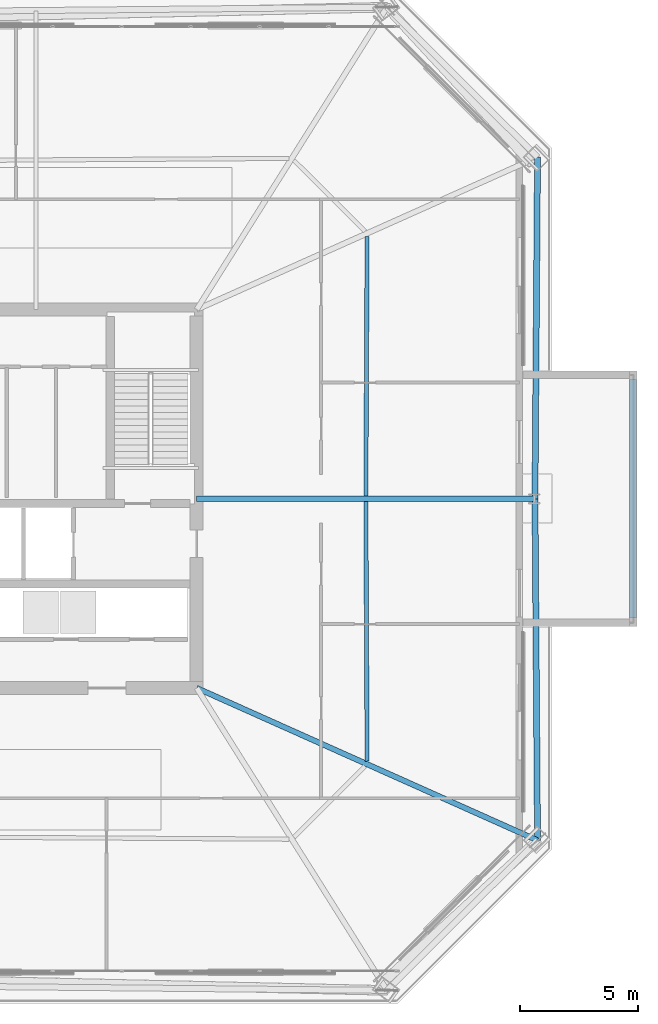
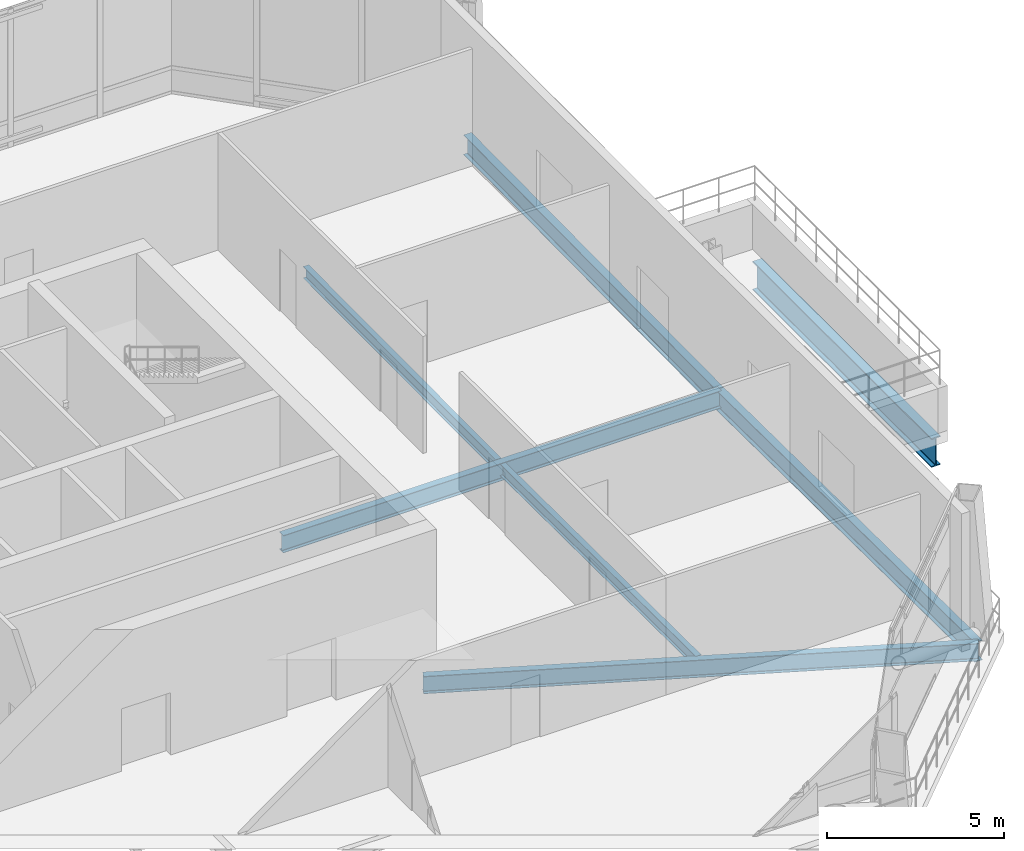
# One storey, part 16 of 34: 7 beams.
"""IFC4 building model written with IfcOpenShell, lengths in metres."""

from ifc_helpers import new_model, si_unit, direction, frame, origin, origin_2d, place, context, subcontext, project, spatial, i_section, extrude, material, material_profile, profile_set, type_object, element, save


model = new_model("IFC4")

# Units and contexts
model_context = context("Model", 3, precision=1e-05, world=origin(), true_north=direction((0.0, 1.0)))
body_context = subcontext(model_context, "Body", "Model", "MODEL_VIEW")
ifc_project = project(units=[si_unit("LENGTHUNIT", "METRE"), si_unit("AREAUNIT", "SQUARE_METRE"), si_unit("VOLUMEUNIT", "CUBIC_METRE"), si_unit("PLANEANGLEUNIT", "RADIAN"), si_unit("MASSUNIT", "GRAM", prefix="KILO")], contexts=[model_context])

# Site, building, storey
site_placement = place(None, origin())
site = spatial("IfcSite", under=ifc_project, at=site_placement, CompositionType="ELEMENT")
building_placement = place(site_placement, origin())
building = spatial("IfcBuilding", under=site, at=building_placement, Name="Caelvoria Tower", CompositionType="ELEMENT")
storey_placement = place(building_placement, frame((0.0, 0.0, 172.0)))
storey = spatial("IfcBuildingStorey", under=building, at=storey_placement, Name="L45", CompositionType="ELEMENT", Elevation=172.0)

# Beams
ifc_material_1 = material(Name="Structural Steel ASTM A992 Gr.50", Category="steel")
ifc_material_profile_1 = material_profile(ifc_material_1, i_section(OverallWidth=0.25390625, OverallDepth=0.68798828125, WebThickness=0.01318359375, FlangeThickness=0.02099609375, FilletRadius=0.01904296875, at=origin_2d()), Name="Structural Steel ASTM A992 Gr.50")
ifc_profile_set_1 = profile_set([ifc_material_profile_1], Name="W690X152 - Structural Steel ASTM A992 Gr.50")
beam_type_1 = type_object("IfcBeamType", Name="Perimeter Spandrel Girder W690X152", PredefinedType="BEAM", material=ifc_profile_set_1)
for number, where, z_axis, x_axis, name in (
    (1, (69.4072265625, 17.55810546875, -0.6640625), (-0.007421102738, 0.999972463238, 0.0), (-0.999972463238, -0.007421102738, 0.0), "Perimeter Spandrel Girder L45-03"),
    (2, (69.300048828125, 32.0, -0.6640625), (0.007421102738, 0.999972463238, 0.0), (-0.999972463238, 0.007421102738, 0.0), "Perimeter Spandrel Girder L45-04"),
):
    element("IfcBeam", number, at=place(storey_placement, frame(where, z_axis=z_axis, x_axis=x_axis)), inside=storey, type_object=beam_type_1, Name=name, PredefinedType="BEAM", context=body_context, shape_type="SweptSolid", body=[
        extrude(i_section(OverallWidth=0.25390625, OverallDepth=0.68798828125, WebThickness=0.01318359375, FlangeThickness=0.02099609375, FilletRadius=0.01904296875, at=origin_2d()), origin(), (0.0, 0.0, 1.0), 14.4423828125),
    ])
ifc_material_profile_2 = material_profile(ifc_material_1, i_section(OverallWidth=0.22802734375, OverallDepth=0.60302734375, WebThickness=0.010498046875, FlangeThickness=0.014892578125, FilletRadius=0.01806640625, at=origin_2d()), Name="Structural Steel ASTM A992 Gr.50")
ifc_profile_set_2 = profile_set([ifc_material_profile_2], Name="W610X101 - Structural Steel ASTM A992 Gr.50")
beam_type_2 = type_object("IfcBeamType", Name="Primary Floor Girder W610X101", PredefinedType="BEAM", material=ifc_profile_set_2)
beam_1_placement = place(storey_placement, frame((55.0, 24.0, -0.62158203125), z_axis=(0.912899572599, -0.408184235792, 0.0), x_axis=(0.408184235792, 0.912899572599, 0.0)))
element("IfcBeam", 3, at=beam_1_placement, inside=storey, type_object=beam_type_2, Name="Primary Floor Girder L45-03", PredefinedType="BEAM", context=body_context, shape_type="SweptSolid", body=[
    extrude(i_section(OverallWidth=0.22802734375, OverallDepth=0.60302734375, WebThickness=0.010498046875, FlangeThickness=0.014892578125, FilletRadius=0.01806640625, at=origin_2d()), origin(), (0.0, 0.0, 1.0), 15.78173828125),
])
beam_2_placement = place(storey_placement, frame((55.0, 32.0, -0.62158203125), z_axis=(1.0, 0.0, 0.0), x_axis=(0.0, 1.0, 0.0)))
element("IfcBeam", 4, at=beam_2_placement, inside=storey, type_object=beam_type_2, Name="Primary Floor Girder L45-04", PredefinedType="BEAM", context=body_context, shape_type="SweptSolid", body=[
    extrude(i_section(OverallWidth=0.22802734375, OverallDepth=0.60302734375, WebThickness=0.010498046875, FlangeThickness=0.014892578125, FilletRadius=0.01806640625, at=origin_2d()), origin(), (0.0, 0.0, 1.0), 14.300048828125),
])
ifc_material_profile_3 = material_profile(ifc_material_1, i_section(OverallWidth=0.177978515625, OverallDepth=0.406982421875, WebThickness=0.0078125, FlangeThickness=0.0126953125, FilletRadius=0.013916015625, at=origin_2d()), Name="Structural Steel ASTM A992 Gr.50")
ifc_profile_set_3 = profile_set([ifc_material_profile_3], Name="W410X60 - Structural Steel ASTM A992 Gr.50")
beam_type_3 = type_object("IfcBeamType", Name="Secondary Floor Beam W410X60", PredefinedType="BEAM", material=ifc_profile_set_3)
for number, where, z_axis, x_axis, name in (
    (5, (62.202880859375, 20.904052734375, -0.5234375), (-0.004762168668, 0.999988660811, 0.0), (-0.999988660811, -0.004762168668, 0.0), "Secondary Floor Beam L45-03"),
    (6, (62.150634765625, 32.125, -0.5234375), (0.004762168668, 0.999988660811, 0.0), (-0.999988660811, 0.004762168668, 0.0), "Secondary Floor Beam L45-04"),
):
    element("IfcBeam", number, at=place(storey_placement, frame(where, z_axis=z_axis, x_axis=x_axis)), inside=storey, type_object=beam_type_3, Name=name, PredefinedType="BEAM", context=body_context, shape_type="SweptSolid", body=[
        extrude(i_section(OverallWidth=0.177978515625, OverallDepth=0.406982421875, WebThickness=0.0078125, FlangeThickness=0.0126953125, FilletRadius=0.013916015625, at=origin_2d()), origin(), (0.0, 0.0, 1.0), 10.97119140625),
    ])
ifc_material_2 = material(Name="Structural Steel ASTM A913 Gr.65", Category="steel")
ifc_material_profile_4 = material_profile(ifc_material_2, i_section(OverallWidth=0.300048828125, OverallDepth=1.0, WebThickness=0.02099609375, FlangeThickness=0.035888671875, FilletRadius=0.02490234375, at=origin_2d()), Name="Structural Steel ASTM A913 Gr.65")
ifc_profile_set_4 = profile_set([ifc_material_profile_4], Name="W1000X371 - Structural Steel ASTM A913 Gr.65")
beam_type_4 = type_object("IfcBeamType", Name="Sky Pool Cantilever Chord W1000X371", PredefinedType="BEAM", material=ifc_profile_set_4)
beam_3_placement = place(storey_placement, frame((73.43994140625, 26.949951171875, -0.885009765625), z_axis=(0.0, 1.0, 0.0), x_axis=(-1.0, 0.0, 0.0)))
element("IfcBeam", 7, at=beam_3_placement, inside=storey, type_object=beam_type_4, Name="Sky Pool Outer Tip Edge Girder", PredefinedType="BEAM", context=body_context, shape_type="SweptSolid", body=[
    extrude(i_section(OverallWidth=0.300048828125, OverallDepth=1.0, WebThickness=0.02099609375, FlangeThickness=0.035888671875, FilletRadius=0.02490234375, at=origin_2d()), origin(), (0.0, 0.0, 1.0), 10.10009765625),
])

save(model, "model.ifc")
